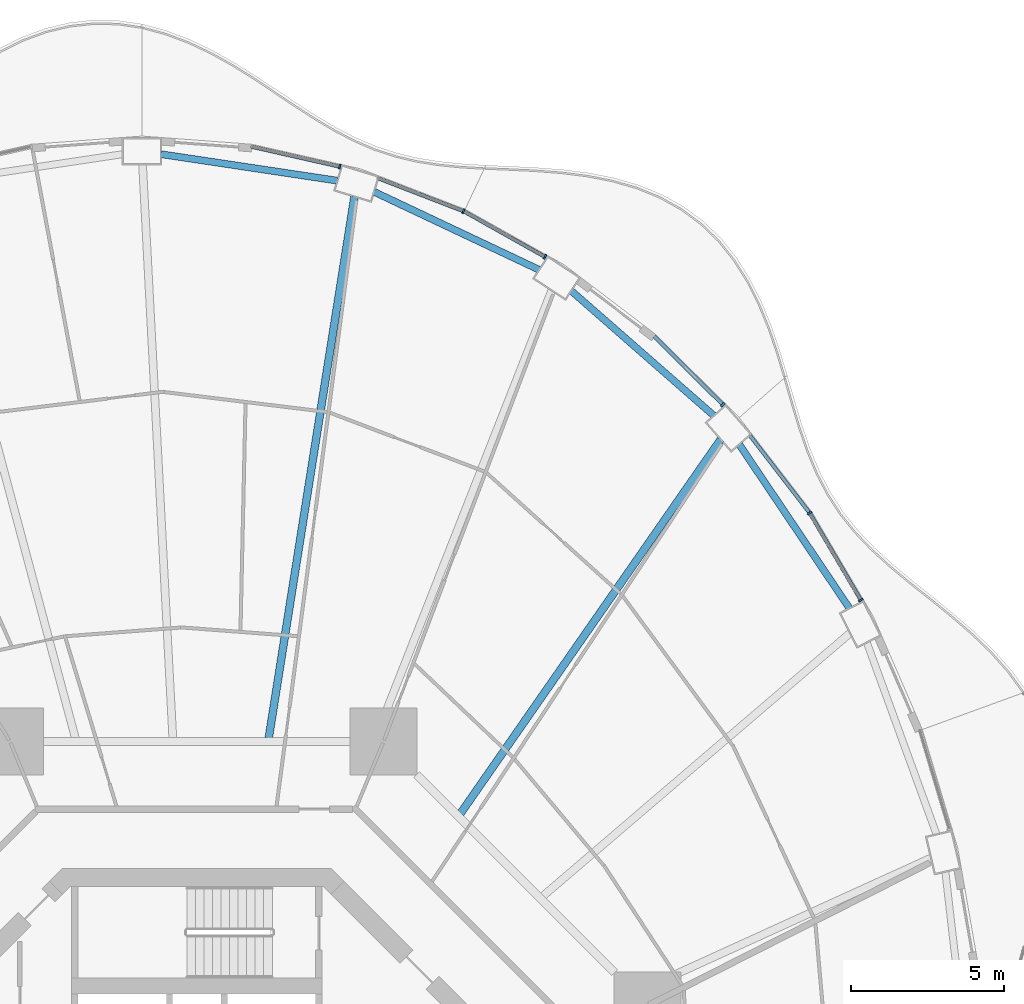
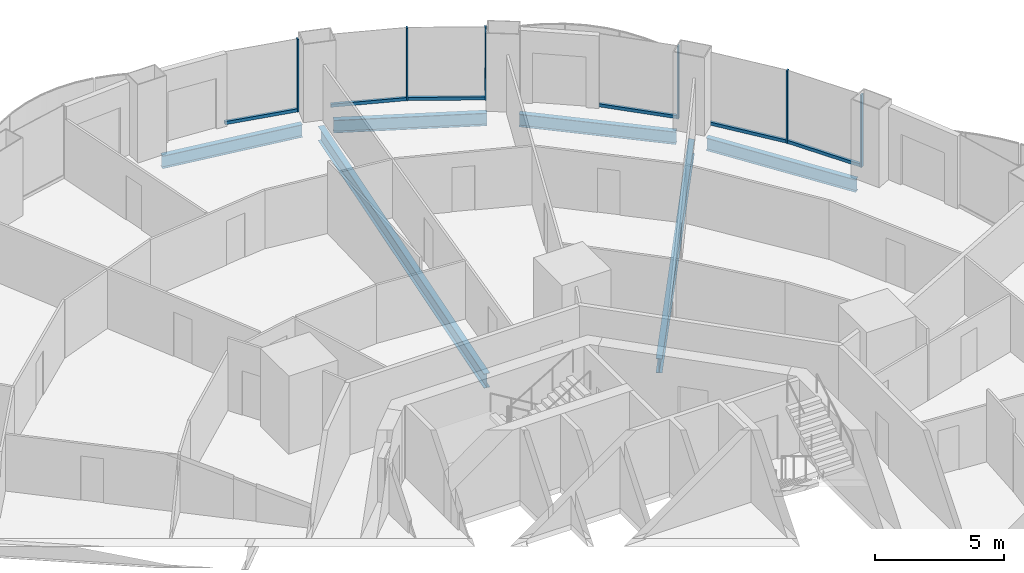
# One storey, part 11 of 22: 12 members, 6 beams, 6 elements without a shape of their own.
"""IFC4 building model written with IfcOpenShell, lengths in metres."""

from ifc_helpers import new_model, si_unit, direction, frame, origin, origin_2d, place, context, subcontext, project, spatial, rectangle, i_section, extrude, material, layer, layer_set, material_profile, profile_set, type_object, element, aggregate, save


model = new_model("IFC4")

# Units and contexts
model_context = context("Model", 3, precision=1e-05, world=origin(), true_north=direction((0.0, 1.0)))
body_context = subcontext(model_context, "Body", "Model", "MODEL_VIEW")
ifc_project = project(units=[si_unit("LENGTHUNIT", "METRE"), si_unit("AREAUNIT", "SQUARE_METRE"), si_unit("VOLUMEUNIT", "CUBIC_METRE"), si_unit("PLANEANGLEUNIT", "RADIAN"), si_unit("MASSUNIT", "GRAM", prefix="KILO")], contexts=[model_context])

# Site, building, storey
site_placement = place(None, origin())
site = spatial("IfcSite", under=ifc_project, at=site_placement, CompositionType="ELEMENT")
building_placement = place(site_placement, origin())
building = spatial("IfcBuilding", under=site, at=building_placement, Name="Nagisa Residences", CompositionType="ELEMENT")
storey_placement = place(building_placement, frame((0.0, 0.0, 80.699951171875)))
storey = spatial("IfcBuildingStorey", under=building, at=storey_placement, Name="L19", CompositionType="ELEMENT", Elevation=80.699951171875)

# Curtain wall, member
ifc_material_1 = material(Name="Concrete-coloured aluminium curtain wall system", Category="concrete")
ifc_layer = layer(ifc_material_1, 0.159912109375)
ifc_layer_set = layer_set([ifc_layer], Name="CW1 CURTAIN WALL")
curtain_wall_type = type_object("IfcCurtainWallType", Name="CW1 CURTAIN WALL", PredefinedType="NOTDEFINED", material=ifc_layer_set)
curtain_wall_1_placement = place(storey_placement, origin())
curtain_wall_1 = element("IfcCurtainWall", 1, at=curtain_wall_1_placement, inside=storey, type_object=curtain_wall_type, Name="cw:CW1:L19:04", PredefinedType="NOTDEFINED")
ifc_material_2 = material(Name="Concrete-coloured aluminium", Category="concrete")
ifc_material_profile_1 = material_profile(ifc_material_2, rectangle(XDim=0.159912109375, YDim=0.06005859375, at=origin_2d()), Name="CW1 MULLION 160x60")
ifc_profile_set_1 = profile_set([ifc_material_profile_1], Name="Concrete-coloured aluminium")
member_type_1 = type_object("IfcMemberType", Name="CW1 MULLION 160x60", PredefinedType="MULLION", material=ifc_profile_set_1)
member_1_placement = place(storey_placement, frame((21.771240234375, 19.421142578125, 0.0), z_axis=(0.0, 0.0, 1.0), x_axis=(-0.862328898214, -0.506348567002, 0.0)))
member_1 = element("IfcMember", 2, at=member_1_placement, type_object=member_type_1, Name="CW1 mullion", PredefinedType="MULLION", context=body_context, shape_type="SweptSolid", body=[
    extrude(rectangle(XDim=0.159912109375, YDim=0.06005859375, at=origin_2d()), origin(), (0.0, 0.0, 1.0), 3.43994140625),
])

curtain_wall_2_placement = place(storey_placement, origin())
curtain_wall_2 = element("IfcCurtainWall", 3, at=curtain_wall_2_placement, inside=storey, type_object=curtain_wall_type, Name="cw:CW1:L19:05", PredefinedType="NOTDEFINED")
member_2_placement = place(storey_placement, frame((20.09033203125, 22.27783203125, 0.0), z_axis=(0.0, 0.0, 1.0), x_axis=(-0.792070340816, -0.610429828235, 0.0)))
member_2 = element("IfcMember", 4, at=member_2_placement, type_object=member_type_1, Name="CW1 mullion", PredefinedType="MULLION", context=body_context, shape_type="SweptSolid", body=[
    extrude(rectangle(XDim=0.159912109375, YDim=0.06005859375, at=origin_2d()), origin(), (0.0, 0.0, 1.0), 3.43994140625),
])

curtain_wall_3_placement = place(storey_placement, origin())
curtain_wall_3 = element("IfcCurtainWall", 5, at=curtain_wall_3_placement, inside=storey, type_object=curtain_wall_type, Name="cw:CW1:L19:06", PredefinedType="NOTDEFINED")
member_3_placement = place(storey_placement, frame((17.24560546875, 25.825927734375, 0.0), z_axis=(0.0, 0.0, 1.0), x_axis=(-0.706376885714, -0.707835924016, 0.0)))
member_3 = element("IfcMember", 6, at=member_3_placement, type_object=member_type_1, Name="CW1 mullion", PredefinedType="MULLION", context=body_context, shape_type="SweptSolid", body=[
    extrude(rectangle(XDim=0.159912109375, YDim=0.06005859375, at=origin_2d()), origin(), (0.0, 0.0, 1.0), 3.43994140625),
])

curtain_wall_4_placement = place(storey_placement, origin())
curtain_wall_4 = element("IfcCurtainWall", 7, at=curtain_wall_4_placement, inside=storey, type_object=curtain_wall_type, Name="cw:CW1:L19:08", PredefinedType="NOTDEFINED")
member_4_placement = place(storey_placement, frame((11.415283203125, 30.673583984375, 0.0), z_axis=(0.0, 0.0, 1.0), x_axis=(-0.489376918501, -0.872072377523, 0.0)))
member_4 = element("IfcMember", 8, at=member_4_placement, type_object=member_type_1, Name="CW1 mullion", PredefinedType="MULLION", context=body_context, shape_type="SweptSolid", body=[
    extrude(rectangle(XDim=0.159912109375, YDim=0.06005859375, at=origin_2d()), origin(), (0.0, 0.0, 1.0), 3.43994140625),
])

curtain_wall_5_placement = place(storey_placement, origin())
curtain_wall_5 = element("IfcCurtainWall", 9, at=curtain_wall_5_placement, inside=storey, type_object=curtain_wall_type, Name="cw:CW1:L19:09", PredefinedType="NOTDEFINED")
member_5_placement = place(storey_placement, frame((8.74169921875, 32.169921875, 0.0), z_axis=(0.0, 0.0, 1.0), x_axis=(-0.360327770268, -0.932825759707, 0.0)))
member_5 = element("IfcMember", 10, at=member_5_placement, type_object=member_type_1, Name="CW1 mullion", PredefinedType="MULLION", context=body_context, shape_type="SweptSolid", body=[
    extrude(rectangle(XDim=0.159912109375, YDim=0.06005859375, at=origin_2d()), origin(), (0.0, 0.0, 1.0), 3.43994140625),
])

curtain_wall_6_placement = place(storey_placement, origin())
curtain_wall_6 = element("IfcCurtainWall", 11, at=curtain_wall_6_placement, inside=storey, type_object=curtain_wall_type, Name="cw:CW1:L19:10", PredefinedType="NOTDEFINED")
member_6_placement = place(storey_placement, frame((4.68701171875, 33.630859375, 0.0), z_axis=(0.0, 0.0, 1.0), x_axis=(-0.2207639201, -0.975327274089, 0.0)))
member_6 = element("IfcMember", 12, at=member_6_placement, type_object=member_type_1, Name="CW1 mullion", PredefinedType="MULLION", context=body_context, shape_type="SweptSolid", body=[
    extrude(rectangle(XDim=0.159912109375, YDim=0.06005859375, at=origin_2d()), origin(), (0.0, 0.0, 1.0), 3.43994140625),
])

# Member
ifc_material_3 = material(Name="Concrete-coloured aluminium", Category="concrete")
ifc_material_profile_2 = material_profile(ifc_material_3, rectangle(XDim=0.1201171875, YDim=0.14990234375, at=origin_2d()), Name="CW1 TRANSOM 120x150")
ifc_profile_set_2 = profile_set([ifc_material_profile_2], Name="Concrete-coloured aluminium")
member_type_2 = type_object("IfcMemberType", Name="CW1 TRANSOM 120x150", PredefinedType="USERDEFINED", material=ifc_profile_set_2)
member_7_placement = place(storey_placement, frame((21.786376953125, 19.395263671875, 0.074951171875), z_axis=(-0.506329983076, 0.86233981019, 0.0), x_axis=(-0.86233981019, -0.506329983076, 0.0)))
member_7 = element("IfcMember", 13, at=member_7_placement, type_object=member_type_2, Name="CW1 transom", ObjectType="TRANSOM", PredefinedType="USERDEFINED", context=body_context, shape_type="SweptSolid", body=[
    extrude(rectangle(XDim=0.1201171875, YDim=0.14990234375, at=origin_2d()), origin(), (0.0, 0.0, 1.0), 3.32470703125),
])

aggregate(curtain_wall_1, [member_1, member_7])

member_8_placement = place(storey_placement, frame((20.108642578125, 22.25390625, 0.074951171875), z_axis=(-0.610458970322, 0.792047880847, 0.0), x_axis=(-0.792047880847, -0.610458970322, 0.0)))
member_8 = element("IfcMember", 14, at=member_8_placement, type_object=member_type_2, Name="CW1 transom", ObjectType="TRANSOM", PredefinedType="USERDEFINED", context=body_context, shape_type="SweptSolid", body=[
    extrude(rectangle(XDim=0.1201171875, YDim=0.14990234375, at=origin_2d()), origin(), (0.0, 0.0, 1.0), 3.262939453125),
])

aggregate(curtain_wall_2, [member_2, member_8])

member_9_placement = place(storey_placement, frame((17.2666015625, 25.8046875, 0.074951171875), z_axis=(-0.707831724839, 0.70638109354, 0.0), x_axis=(-0.70638109354, -0.707831724839, 0.0)))
member_9 = element("IfcMember", 15, at=member_9_placement, type_object=member_type_2, Name="CW1 transom", ObjectType="TRANSOM", PredefinedType="USERDEFINED", context=body_context, shape_type="SweptSolid", body=[
    extrude(rectangle(XDim=0.1201171875, YDim=0.14990234375, at=origin_2d()), origin(), (0.0, 0.0, 1.0), 3.19775390625),
])

aggregate(curtain_wall_3, [member_3, member_9])

member_10_placement = place(storey_placement, frame((11.44140625, 30.65869140625, 0.074951171875), z_axis=(-0.872037280335, 0.489439456631, 0.0), x_axis=(-0.489439456631, -0.872037280335, 0.0)))
member_10 = element("IfcMember", 16, at=member_10_placement, type_object=member_type_2, Name="CW1 transom", ObjectType="TRANSOM", PredefinedType="USERDEFINED", context=body_context, shape_type="SweptSolid", body=[
    extrude(rectangle(XDim=0.1201171875, YDim=0.14990234375, at=origin_2d()), origin(), (0.0, 0.0, 1.0), 3.07568359375),
])

aggregate(curtain_wall_4, [member_4, member_10])

member_11_placement = place(storey_placement, frame((8.76953125, 32.1591796875, 0.074951171875), z_axis=(-0.932827091302, 0.360324322982, 0.0), x_axis=(-0.360324322982, -0.932827091302, 0.0)))
member_11 = element("IfcMember", 17, at=member_11_placement, type_object=member_type_2, Name="CW1 transom", ObjectType="TRANSOM", PredefinedType="USERDEFINED", context=body_context, shape_type="SweptSolid", body=[
    extrude(rectangle(XDim=0.1201171875, YDim=0.14990234375, at=origin_2d()), origin(), (0.0, 0.0, 1.0), 3.02734375),
])

aggregate(curtain_wall_5, [member_5, member_11])

member_12_placement = place(storey_placement, frame((4.71630859375, 33.624267578125, 0.074951171875), z_axis=(-0.975313630467, 0.220824188497, 0.0), x_axis=(-0.220824188497, -0.975313630467, 0.0)))
member_12 = element("IfcMember", 18, at=member_12_placement, type_object=member_type_2, Name="CW1 transom", ObjectType="TRANSOM", PredefinedType="USERDEFINED", context=body_context, shape_type="SweptSolid", body=[
    extrude(rectangle(XDim=0.1201171875, YDim=0.14990234375, at=origin_2d()), origin(), (0.0, 0.0, 1.0), 2.992919921875),
])

aggregate(curtain_wall_6, [member_6, member_12])

# Beams
ifc_material_4 = material(Name="Steel ASTM A572 Gr 50", Category="steel")
ifc_material_profile_3 = material_profile(ifc_material_4, i_section(OverallWidth=0.22802734375, OverallDepth=0.60302734375, WebThickness=0.010498046875, FlangeThickness=0.014892578125, at=origin_2d()), Name="W610x101")
ifc_profile_set_3 = profile_set([ifc_material_profile_3], Name="Steel ASTM A572 Gr 50")
beam_type_1 = type_object("IfcBeamType", Name="Perimeter ring beam W610x101", PredefinedType="BEAM", material=ifc_profile_set_3)
beam_1_placement = place(storey_placement, frame((21.397216796875, 19.152099609375, -0.5615234375), z_axis=(-0.55824704812, 0.829674775599, 0.0), x_axis=(-0.829674775599, -0.55824704812, 0.0)))
element("IfcBeam", 19, at=beam_1_placement, inside=storey, type_object=beam_type_1, Name="beam:L19:pb03", PredefinedType="BEAM", context=body_context, shape_type="SweptSolid", body=[
    extrude(i_section(OverallWidth=0.22802734375, OverallDepth=0.60302734375, WebThickness=0.010498046875, FlangeThickness=0.014892578125, at=origin_2d()), origin(), (0.0, 0.0, 1.0), 6.4716796875),
])
beam_2_placement = place(storey_placement, frame((16.951416015625, 25.46728515625, -0.5615234375), z_axis=(-0.752525569707, 0.658563031863, 0.0), x_axis=(-0.658563031863, -0.752525569707, 0.0)))
element("IfcBeam", 20, at=beam_2_placement, inside=storey, type_object=beam_type_1, Name="beam:L19:pb04", PredefinedType="BEAM", context=body_context, shape_type="SweptSolid", body=[
    extrude(i_section(OverallWidth=0.22802734375, OverallDepth=0.60302734375, WebThickness=0.010498046875, FlangeThickness=0.014892578125, at=origin_2d()), origin(), (0.0, 0.0, 1.0), 6.21240234375),
])
beam_3_placement = place(storey_placement, frame((11.22216796875, 30.249267578125, -0.5615234375), z_axis=(-0.904196975776, 0.427115709144, 0.0), x_axis=(-0.427115709144, -0.904196975776, 0.0)))
element("IfcBeam", 21, at=beam_3_placement, inside=storey, type_object=beam_type_1, Name="beam:L19:pb05", PredefinedType="BEAM", context=body_context, shape_type="SweptSolid", body=[
    extrude(i_section(OverallWidth=0.22802734375, OverallDepth=0.60302734375, WebThickness=0.010498046875, FlangeThickness=0.014892578125, at=origin_2d()), origin(), (0.0, 0.0, 1.0), 5.980712890625),
])
beam_4_placement = place(storey_placement, frame((4.608642578125, 33.17041015625, -0.5615234375), z_axis=(-0.988913048607, 0.148495731568, 0.0), x_axis=(-0.148495731568, -0.988913048607, 0.0)))
element("IfcBeam", 22, at=beam_4_placement, inside=storey, type_object=beam_type_1, Name="beam:L19:pb06", PredefinedType="BEAM", context=body_context, shape_type="SweptSolid", body=[
    extrude(i_section(OverallWidth=0.22802734375, OverallDepth=0.60302734375, WebThickness=0.010498046875, FlangeThickness=0.014892578125, at=origin_2d()), origin(), (0.0, 0.0, 1.0), 5.843017578125),
])
ifc_material_5 = material(Name="Steel ASTM A572 Gr 50", Category="steel")
ifc_material_profile_4 = material_profile(ifc_material_5, i_section(OverallWidth=0.2529296875, OverallDepth=0.677978515625, WebThickness=0.01171875, FlangeThickness=0.016357421875, at=origin_2d()), Name="W690x125")
ifc_profile_set_4 = profile_set([ifc_material_profile_4], Name="Steel ASTM A572 Gr 50")
beam_type_2 = type_object("IfcBeamType", Name="Radial beam W690x125", PredefinedType="BEAM", material=ifc_profile_set_4)
beam_5_placement = place(storey_placement, frame((17.176513671875, 24.6845703125, -0.598876953125), z_axis=(-0.571167903467, -0.820833251062, 0.0), x_axis=(0.820833251062, -0.571167903467, 0.0)))
element("IfcBeam", 23, at=beam_5_placement, inside=storey, type_object=beam_type_2, Name="beam:L19:rb04", PredefinedType="BEAM", context=body_context, shape_type="SweptSolid", body=[
    extrude(i_section(OverallWidth=0.2529296875, OverallDepth=0.677978515625, WebThickness=0.01171875, FlangeThickness=0.016357421875, at=origin_2d()), origin(), (0.0, 0.0, 1.0), 14.93994140625),
])
beam_6_placement = place(storey_placement, frame((5.170654296875, 32.64697265625, -0.598876953125), z_axis=(-0.156426410961, -0.987689616202, 0.0), x_axis=(0.987689616202, -0.156426410961, 0.0)))
element("IfcBeam", 24, at=beam_6_placement, inside=storey, type_object=beam_type_2, Name="beam:L19:rb06", PredefinedType="BEAM", context=body_context, shape_type="SweptSolid", body=[
    extrude(i_section(OverallWidth=0.2529296875, OverallDepth=0.677978515625, WebThickness=0.01171875, FlangeThickness=0.016357421875, at=origin_2d()), origin(), (0.0, 0.0, 1.0), 17.973388671875),
])

save(model, "model.ifc")
